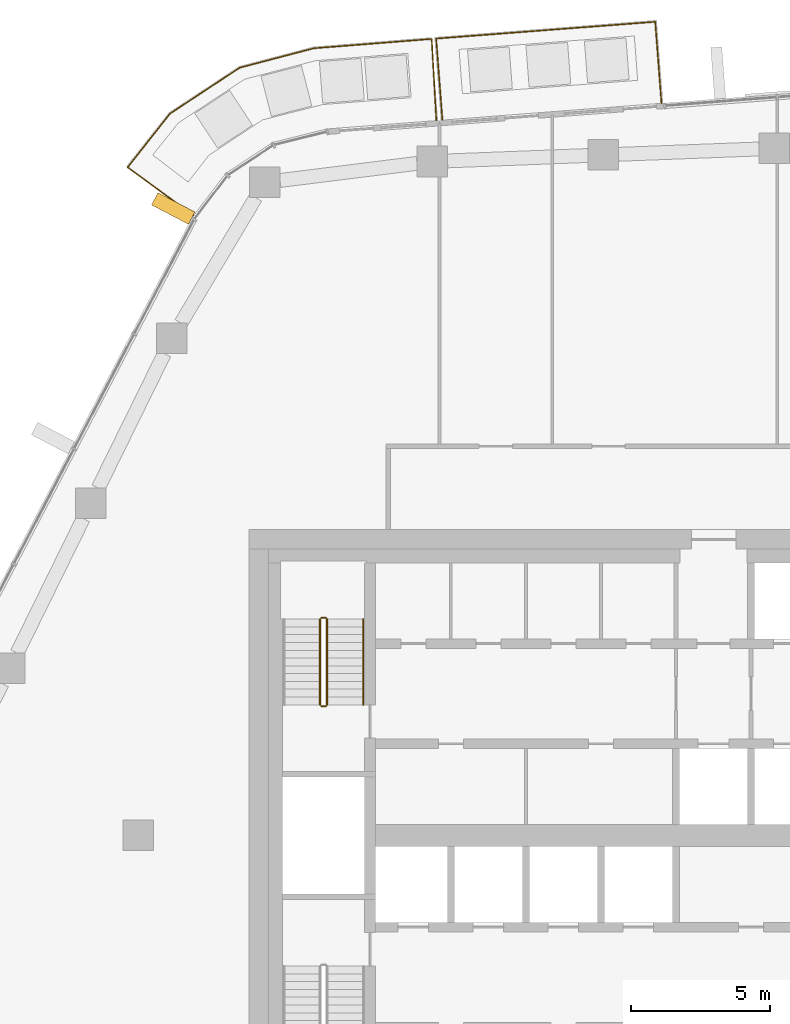
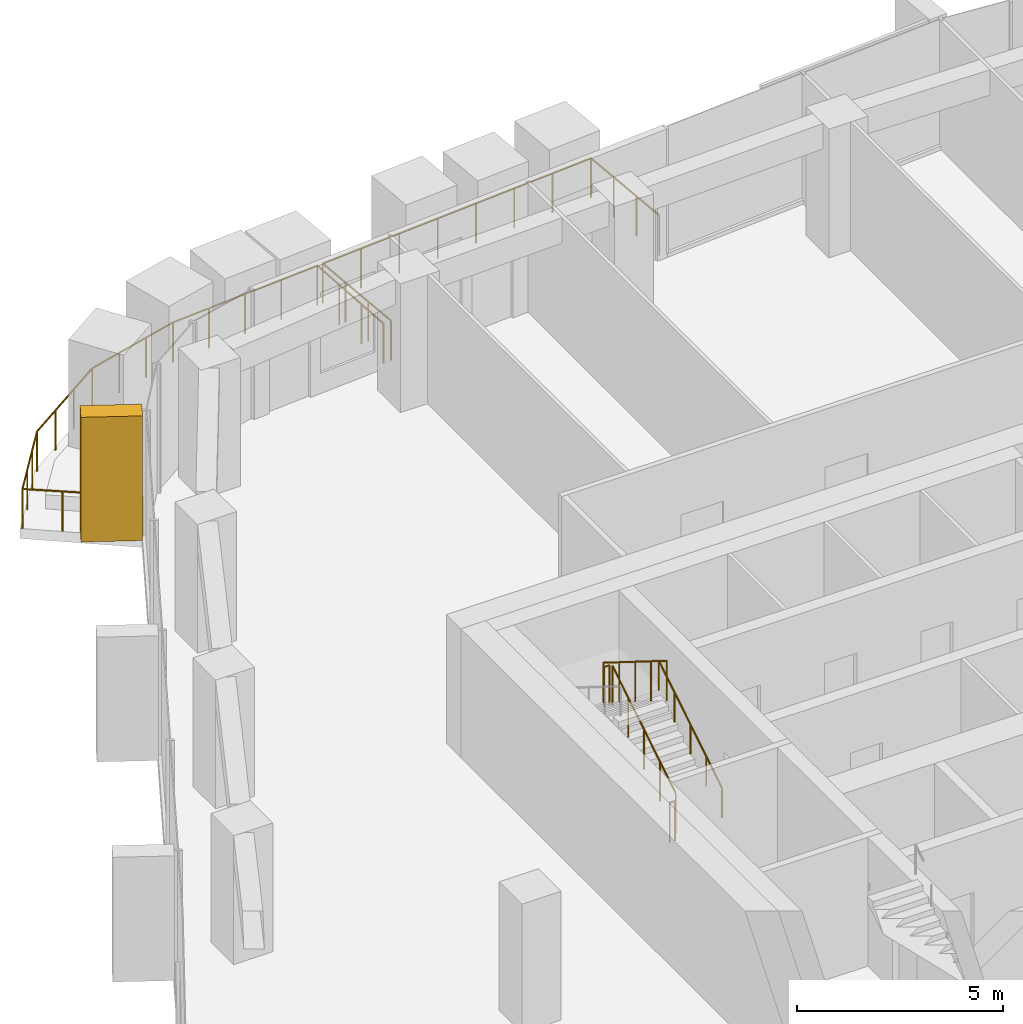
# One storey, part 19 of 20: 7 railings, 1 covering, 1 element without a shape of its own.
"""IFC4 building model written with IfcOpenShell, lengths in metres."""

from ifc_helpers import new_model, si_unit, direction, frame, origin, origin_2d, place, context, subcontext, project, spatial, rectangle, circle, extrude, material, layer, layer_set, material_profile, profile_set, type_object, element, aggregate, save


model = new_model("IFC4")

# Units and contexts
model_context = context("Model", 3, precision=1e-05, world=origin(), true_north=direction((0.0, 1.0)))
body_context = subcontext(model_context, "Body", "Model", "MODEL_VIEW")
ifc_project = project(units=[si_unit("LENGTHUNIT", "METRE"), si_unit("AREAUNIT", "SQUARE_METRE"), si_unit("VOLUMEUNIT", "CUBIC_METRE"), si_unit("PLANEANGLEUNIT", "RADIAN"), si_unit("MASSUNIT", "GRAM", prefix="KILO")], contexts=[model_context])

# Site, building, storey
site_placement = place(None, origin())
site = spatial("IfcSite", under=ifc_project, at=site_placement, CompositionType="ELEMENT")
building_placement = place(site_placement, origin())
building = spatial("IfcBuilding", under=site, at=building_placement, Name="Dongbaek Canopy Tower", CompositionType="ELEMENT")
storey_placement = place(building_placement, frame((0.0, 0.0, 245.39990234375)))
storey = spatial("IfcBuildingStorey", under=building, at=storey_placement, Name="L51", CompositionType="ELEMENT", Elevation=245.39990234375)

# Railings
ifc_material_1 = material(Name="Stainless steel", Category="steel")
railing_type_1 = type_object("IfcRailingType", Name="Balcony balustrade 1200", PredefinedType="BALUSTRADE", material=ifc_material_1)
railing_1_placement = place(storey_placement, frame((0.82763671875, 26.336181640625, 0.0)))
element("IfcRailing", 1, at=railing_1_placement, inside=storey, type_object=railing_type_1, Name="Balcony guard L51 2", PredefinedType="BALUSTRADE", context=body_context, shape_type="SweptSolid", body=[
    extrude(circle(Radius=0.02392578125, at=origin_2d()), frame((0.0, 0.0, 1.17578125), z_axis=(-0.076480590967, 0.997071070288, 0.0), x_axis=(-0.997071070288, -0.076480590967, 0.0)), (0.0, 0.0, 1.0), 2.93994140625),
    extrude(circle(Radius=0.02392578125, at=origin_2d()), frame((-0.224853515625, 2.931396484375, 1.17578125), z_axis=(-0.997069551108, -0.076500393807, 0.0), x_axis=(0.076500393807, -0.997069551108, 0.0)), (0.0, 0.0, 1.0), 7.90185546875),
    extrude(circle(Radius=0.02392578125, at=origin_2d()), frame((-8.103515625, 2.326904296875, 1.17578125), z_axis=(0.076480590967, -0.997071070288, 0.0), x_axis=(0.997071070288, 0.076480590967, 0.0)), (0.0, 0.0, 1.0), 2.93994140625),
    extrude(circle(Radius=0.02099609375, at=origin_2d()), origin(), (0.0, 0.0, 1.0), 1.15185546875),
    extrude(circle(Radius=0.02099609375, at=origin_2d()), frame((-0.074951171875, 0.97705078125, 0.0)), (0.0, 0.0, 1.0), 1.15185546875),
    extrude(circle(Radius=0.02099609375, at=origin_2d()), frame((-0.14990234375, 1.954345703125, 0.0)), (0.0, 0.0, 1.0), 1.15185546875),
    extrude(circle(Radius=0.02099609375, at=origin_2d()), frame((-0.224853515625, 2.931396484375, 0.0)), (0.0, 0.0, 1.0), 1.15185546875),
    extrude(circle(Radius=0.02099609375, at=origin_2d()), frame((-1.350341796875, 2.844970703125, 0.0)), (0.0, 0.0, 1.0), 1.15185546875),
    extrude(circle(Radius=0.02099609375, at=origin_2d()), frame((-2.475830078125, 2.7587890625, 0.0)), (0.0, 0.0, 1.0), 1.15185546875),
    extrude(circle(Radius=0.02099609375, at=origin_2d()), frame((-3.601318359375, 2.67236328125, 0.0)), (0.0, 0.0, 1.0), 1.15185546875),
    extrude(circle(Radius=0.02099609375, at=origin_2d()), frame((-4.72705078125, 2.5859375, 0.0)), (0.0, 0.0, 1.0), 1.15185546875),
    extrude(circle(Radius=0.02099609375, at=origin_2d()), frame((-5.8525390625, 2.49951171875, 0.0)), (0.0, 0.0, 1.0), 1.15185546875),
    extrude(circle(Radius=0.02099609375, at=origin_2d()), frame((-6.97802734375, 2.413330078125, 0.0)), (0.0, 0.0, 1.0), 1.15185546875),
    extrude(circle(Radius=0.02099609375, at=origin_2d()), frame((-8.103515625, 2.326904296875, 0.0)), (0.0, 0.0, 1.0), 1.15185546875),
    extrude(circle(Radius=0.02099609375, at=origin_2d()), frame((-8.028564453125, 1.349853515625, 0.0)), (0.0, 0.0, 1.0), 1.15185546875),
    extrude(circle(Radius=0.02099609375, at=origin_2d()), frame((-7.95361328125, 0.37255859375, 0.0)), (0.0, 0.0, 1.0), 1.15185546875),
    extrude(circle(Radius=0.02099609375, at=origin_2d()), frame((-7.878662109375, -0.6044921875, 0.0)), (0.0, 0.0, 1.0), 1.15185546875),
])
railing_2_placement = place(storey_placement, frame((-7.270263671875, 25.71484375, 0.0)))
element("IfcRailing", 2, at=railing_2_placement, inside=storey, type_object=railing_type_1, Name="Balcony guard L51 7", PredefinedType="BALUSTRADE", context=body_context, shape_type="SweptSolid", body=[
    extrude(circle(Radius=0.02392578125, at=origin_2d()), frame((0.0, 0.0, 1.17578125), z_axis=(-0.056205704733, 0.998419209929, 0.0), x_axis=(-0.998419209929, -0.056205704733, 0.0)), (0.0, 0.0, 1.0), 2.940673828125),
    extrude(circle(Radius=0.02392578125, at=origin_2d()), frame((-0.165283203125, 2.93603515625, 1.17578125), z_axis=(-0.996874429289, -0.079002355852, 0.0), x_axis=(0.079002355852, -0.996874429289, 0.0)), (0.0, 0.0, 1.0), 4.258544921875),
    extrude(circle(Radius=0.02392578125, at=origin_2d()), frame((-4.410400390625, 2.599609375, 1.17578125), z_axis=(-0.967257881136, -0.253795570057, 0.0), x_axis=(0.253795570057, -0.967257881136, 0.0)), (0.0, 0.0, 1.0), 2.756103515625),
    extrude(circle(Radius=0.02392578125, at=origin_2d()), frame((-7.076171875, 1.900146484375, 1.17578125), z_axis=(-0.835028692723, -0.550206399754, 0.0), x_axis=(0.550206399754, -0.835028692723, 0.0)), (0.0, 0.0, 1.0), 3.001708984375),
    extrude(circle(Radius=0.02392578125, at=origin_2d()), frame((-9.582763671875, 0.24853515625, 1.17578125), z_axis=(-0.619206343343, -0.785228313527, 0.0), x_axis=(0.785228313527, -0.619206343343, 0.0)), (0.0, 0.0, 1.0), 2.458740234375),
    extrude(circle(Radius=0.02392578125, at=origin_2d()), frame((-11.105224609375, -1.68212890625, 1.17578125), z_axis=(0.807841164068, -0.589400249098, 0.0), x_axis=(0.589400249098, 0.807841164068, 0.0)), (0.0, 0.0, 1.0), 2.9404296875),
    extrude(circle(Radius=0.02099609375, at=origin_2d()), origin(), (0.0, 0.0, 1.0), 1.15185546875),
    extrude(circle(Radius=0.02099609375, at=origin_2d()), frame((-0.05517578125, 0.978759765625, 0.0)), (0.0, 0.0, 1.0), 1.15185546875),
    extrude(circle(Radius=0.02099609375, at=origin_2d()), frame((-0.110107421875, 1.957275390625, 0.0)), (0.0, 0.0, 1.0), 1.15185546875),
    extrude(circle(Radius=0.02099609375, at=origin_2d()), frame((-0.165283203125, 2.93603515625, 0.0)), (0.0, 0.0, 1.0), 1.15185546875),
    extrude(circle(Radius=0.02099609375, at=origin_2d()), frame((-1.2265625, 2.85205078125, 0.0)), (0.0, 0.0, 1.0), 1.15185546875),
    extrude(circle(Radius=0.02099609375, at=origin_2d()), frame((-2.287841796875, 2.767822265625, 0.0)), (0.0, 0.0, 1.0), 1.15185546875),
    extrude(circle(Radius=0.02099609375, at=origin_2d()), frame((-3.34912109375, 2.68359375, 0.0)), (0.0, 0.0, 1.0), 1.15185546875),
    extrude(circle(Radius=0.02099609375, at=origin_2d()), frame((-4.410400390625, 2.599609375, 0.0)), (0.0, 0.0, 1.0), 1.15185546875),
    extrude(circle(Radius=0.02099609375, at=origin_2d()), frame((-5.299072265625, 2.366455078125, 0.0)), (0.0, 0.0, 1.0), 1.15185546875),
    extrude(circle(Radius=0.02099609375, at=origin_2d()), frame((-6.1875, 2.13330078125, 0.0)), (0.0, 0.0, 1.0), 1.15185546875),
    extrude(circle(Radius=0.02099609375, at=origin_2d()), frame((-7.076171875, 1.900146484375, 0.0)), (0.0, 0.0, 1.0), 1.15185546875),
    extrude(circle(Radius=0.02099609375, at=origin_2d()), frame((-7.91162109375, 1.349609375, 0.0)), (0.0, 0.0, 1.0), 1.15185546875),
    extrude(circle(Radius=0.02099609375, at=origin_2d()), frame((-8.747314453125, 0.799072265625, 0.0)), (0.0, 0.0, 1.0), 1.15185546875),
    extrude(circle(Radius=0.02099609375, at=origin_2d()), frame((-9.582763671875, 0.24853515625, 0.0)), (0.0, 0.0, 1.0), 1.15185546875),
    extrude(circle(Radius=0.02099609375, at=origin_2d()), frame((-10.09033203125, -0.39501953125, 0.0)), (0.0, 0.0, 1.0), 1.15185546875),
    extrude(circle(Radius=0.02099609375, at=origin_2d()), frame((-10.59765625, -1.03857421875, 0.0)), (0.0, 0.0, 1.0), 1.15185546875),
    extrude(circle(Radius=0.02099609375, at=origin_2d()), frame((-11.105224609375, -1.68212890625, 0.0)), (0.0, 0.0, 1.0), 1.15185546875),
    extrude(circle(Radius=0.02099609375, at=origin_2d()), frame((-10.3134765625, -2.259765625, 0.0)), (0.0, 0.0, 1.0), 1.15185546875),
    extrude(circle(Radius=0.02099609375, at=origin_2d()), frame((-9.521484375, -2.837646484375, 0.0)), (0.0, 0.0, 1.0), 1.15185546875),
    extrude(circle(Radius=0.02099609375, at=origin_2d()), frame((-8.729736328125, -3.415283203125, 0.0)), (0.0, 0.0, 1.0), 1.15185546875),
])

# Curtain wall, covering
ifc_material_2 = material(Name="Aluminium 6063-T6 pale anodised", Category="aluminium")
ifc_layer = layer(ifc_material_2, 0.199951171875)
ifc_layer_set = layer_set([ifc_layer], Name="CW-1 unitised tower curtain wall")
curtain_wall_type = type_object("IfcCurtainWallType", Name="CW-1 unitised tower curtain wall", PredefinedType="NOTDEFINED", material=ifc_layer_set)
curtain_wall_placement = place(storey_placement, origin())
curtain_wall = element("IfcCurtainWall", 3, at=curtain_wall_placement, inside=storey, type_object=curtain_wall_type, Name="CW-1 curtain wall F2.1", PredefinedType="NOTDEFINED")
ifc_material_3 = material(Name="Aluminium 6063-T6 pale metal fin", Category="aluminium")
ifc_material_profile = material_profile(ifc_material_3, rectangle(XDim=1.5, YDim=0.5, at=origin_2d()), Name="Fin FN1 500 x 1500 pale metal")
ifc_profile_set = profile_set([ifc_material_profile], Name="Aluminium 6063-T6 pale metal fin")
covering_type = type_object("IfcCoveringType", Name="Fin FN1 500 x 1500 pale metal", PredefinedType="CLADDING", material=ifc_profile_set)
covering_placement = place(storey_placement, frame((-16.735107421875, 22.55224609375, 0.1201171875), z_axis=(0.0, 0.0, 1.0), x_axis=(-0.886019109709, 0.463648721803, 0.0)))
covering = element("IfcCovering", 4, at=covering_placement, type_object=covering_type, Name="Fin F2.1.1", PredefinedType="CLADDING", context=body_context, shape_type="SweptSolid", body=[
    extrude(rectangle(XDim=1.5, YDim=0.5, at=origin_2d()), origin(), (0.0, 0.0, 1.0), 3.699951171875),
])
aggregate(curtain_wall, [covering])

# Railings
ifc_material_4 = material(Name="Stainless steel tube and balusters", Category="steel")
railing_type_2 = type_object("IfcRailingType", Name="Stair guard 1200", PredefinedType="GUARDRAIL", material=ifc_material_4)
railing_3_placement = place(storey_placement, frame((-11.199951171875, 4.699951171875, 0.175048828125)))
element("IfcRailing", 5, at=railing_3_placement, inside=storey, type_object=railing_type_2, Name="L51 ST-C stair guard 1", PredefinedType="GUARDRAIL", context=body_context, shape_type="SweptSolid", body=[
    extrude(circle(Radius=0.02392578125, at=origin_2d()), frame((0.0, 0.0, 1.17578125), z_axis=(0.0, 0.847998304005, 0.529998940003), x_axis=(-1.0, 0.0, 0.0)), (0.0, 0.0, 1.0), 3.632080078125),
    extrude(circle(Radius=0.02099609375, at=origin_2d()), origin(), (0.0, 0.0, 1.0), 1.15185546875),
    extrude(circle(Radius=0.02099609375, at=origin_2d()), frame((0.0, 0.77001953125, 0.481201171875)), (0.0, 0.0, 1.0), 1.15185546875),
    extrude(circle(Radius=0.02099609375, at=origin_2d()), frame((0.0, 1.5400390625, 0.96240234375)), (0.0, 0.0, 1.0), 1.15185546875),
    extrude(circle(Radius=0.02099609375, at=origin_2d()), frame((0.0, 2.31005859375, 1.44384765625)), (0.0, 0.0, 1.0), 1.15185546875),
    extrude(circle(Radius=0.02099609375, at=origin_2d()), frame((0.0, 3.080078125, 1.925048828125)), (0.0, 0.0, 1.0), 1.15185546875),
])
railing_4_placement = place(storey_placement, frame((-11.25, 7.830078125, 2.10009765625)))
element("IfcRailing", 6, at=railing_4_placement, inside=storey, type_object=railing_type_2, Name="L51 ST-C stair guard 2", PredefinedType="GUARDRAIL", context=body_context, shape_type="SweptSolid", body=[
    extrude(circle(Radius=0.02392578125, at=origin_2d()), frame((0.0, 0.0, 1.17578125), z_axis=(-1.0, 0.0, 0.0), x_axis=(0.0, -1.0, 0.0)), (0.0, 0.0, 1.0), 0.14990234375),
    extrude(circle(Radius=0.02099609375, at=origin_2d()), origin(), (0.0, 0.0, 1.0), 1.15185546875),
    extrude(circle(Radius=0.02099609375, at=origin_2d()), frame((-0.14990234375, 0.0, 0.0)), (0.0, 0.0, 1.0), 1.15185546875),
])
railing_5_placement = place(storey_placement, frame((-11.449951171875, 7.780029296875, 2.275146484375)))
element("IfcRailing", 7, at=railing_5_placement, inside=storey, type_object=railing_type_2, Name="L51 ST-C stair guard 3", PredefinedType="GUARDRAIL", context=body_context, shape_type="SweptSolid", body=[
    extrude(circle(Radius=0.02392578125, at=origin_2d()), frame((0.0, 0.0, 1.17578125), z_axis=(0.0, -0.847998304005, 0.529998940003), x_axis=(1.0, 0.0, 0.0)), (0.0, 0.0, 1.0), 3.632080078125),
    extrude(circle(Radius=0.02099609375, at=origin_2d()), origin(), (0.0, 0.0, 1.0), 1.15185546875),
    extrude(circle(Radius=0.02099609375, at=origin_2d()), frame((0.0, -0.77001953125, 0.481201171875)), (0.0, 0.0, 1.0), 1.15185546875),
    extrude(circle(Radius=0.02099609375, at=origin_2d()), frame((0.0, -1.5400390625, 0.96240234375)), (0.0, 0.0, 1.0), 1.15185546875),
    extrude(circle(Radius=0.02099609375, at=origin_2d()), frame((0.0, -2.31005859375, 1.44384765625)), (0.0, 0.0, 1.0), 1.15185546875),
    extrude(circle(Radius=0.02099609375, at=origin_2d()), frame((0.0, -3.080078125, 1.925048828125)), (0.0, 0.0, 1.0), 1.15185546875),
])
railing_6_placement = place(storey_placement, frame((-11.25, 4.64990234375, 0.0)))
element("IfcRailing", 8, at=railing_6_placement, inside=storey, type_object=railing_type_2, Name="L51 ST-C stair guard 4", PredefinedType="GUARDRAIL", context=body_context, shape_type="SweptSolid", body=[
    extrude(circle(Radius=0.02392578125, at=origin_2d()), frame((0.0, 0.0, 1.17578125), z_axis=(-1.0, 0.0, 0.0), x_axis=(0.0, -1.0, 0.0)), (0.0, 0.0, 1.0), 0.14990234375),
    extrude(circle(Radius=0.02099609375, at=origin_2d()), origin(), (0.0, 0.0, 1.0), 1.15185546875),
    extrude(circle(Radius=0.02099609375, at=origin_2d()), frame((-0.14990234375, 0.0, 0.0)), (0.0, 0.0, 1.0), 1.15185546875),
])
ifc_material_5 = material(Name="Stainless steel tube", Category="steel")
railing_type_3 = type_object("IfcRailingType", Name="Stair handrail 900", PredefinedType="HANDRAIL", material=ifc_material_5)
railing_7_placement = place(storey_placement, frame((-9.89990234375, 4.699951171875, 0.175048828125)))
element("IfcRailing", 9, at=railing_7_placement, inside=storey, type_object=railing_type_3, Name="L51 ST-C stair handrail 1", PredefinedType="HANDRAIL", context=body_context, shape_type="SweptSolid", body=[
    extrude(circle(Radius=0.02392578125, at=origin_2d()), frame((0.0, 0.0, 0.8759765625), z_axis=(0.0, 0.847998304005, 0.529998940003), x_axis=(-1.0, 0.0, 0.0)), (0.0, 0.0, 1.0), 3.632080078125),
    extrude(circle(Radius=0.02099609375, at=origin_2d()), origin(), (0.0, 0.0, 1.0), 0.851806640625),
    extrude(circle(Radius=0.02099609375, at=origin_2d()), frame((0.0, 0.77001953125, 0.481201171875)), (0.0, 0.0, 1.0), 0.851806640625),
    extrude(circle(Radius=0.02099609375, at=origin_2d()), frame((0.0, 1.5400390625, 0.96240234375)), (0.0, 0.0, 1.0), 0.851806640625),
    extrude(circle(Radius=0.02099609375, at=origin_2d()), frame((0.0, 2.31005859375, 1.44384765625)), (0.0, 0.0, 1.0), 0.851806640625),
    extrude(circle(Radius=0.02099609375, at=origin_2d()), frame((0.0, 3.080078125, 1.925048828125)), (0.0, 0.0, 1.0), 0.851806640625),
])

save(model, "model.ifc")
